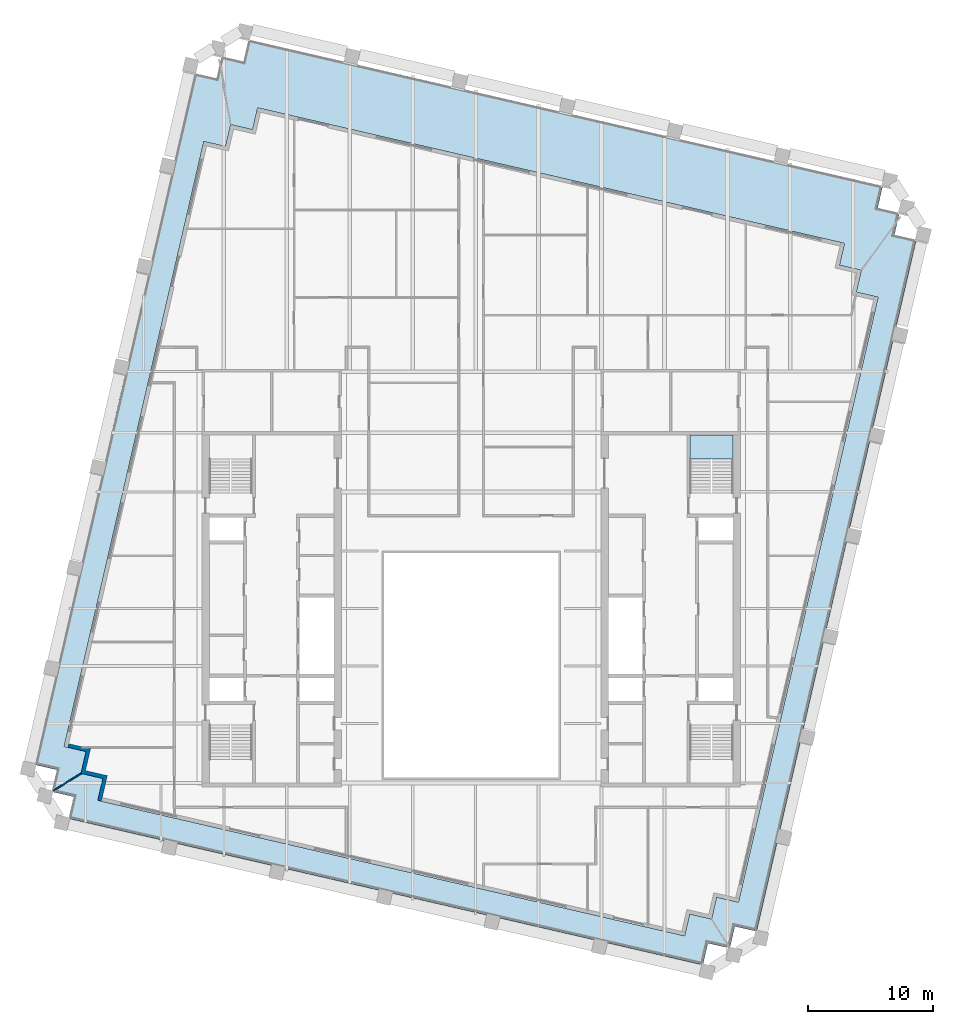
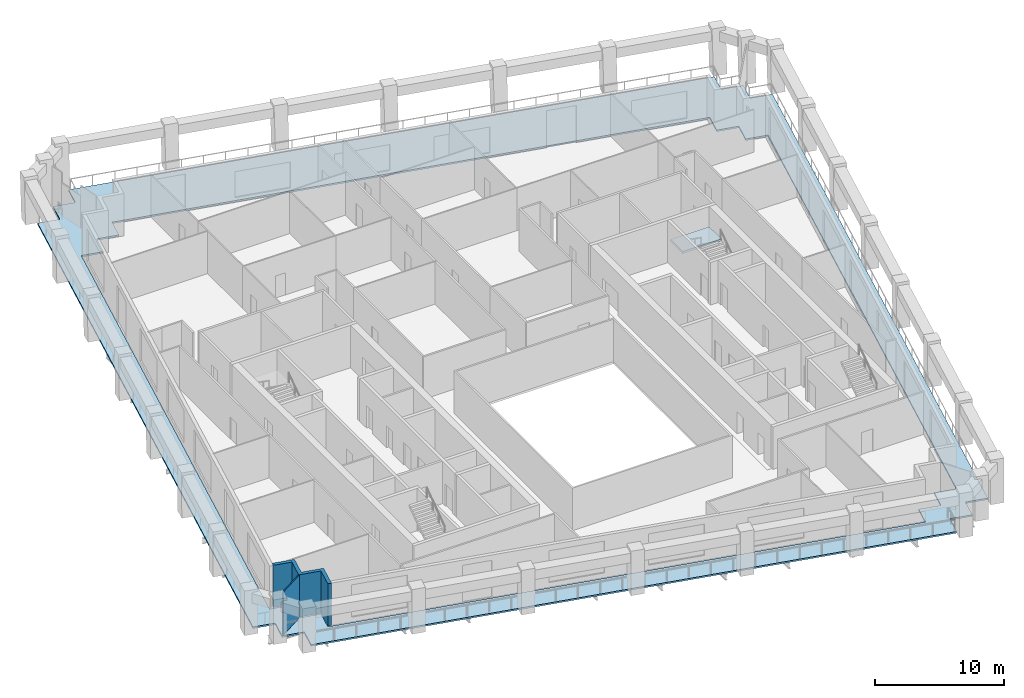
# One storey, part 3 of 10: 2 slabs, 2 walls, 1 element without a shape of its own.
"""IFC4 building model written with IfcOpenShell, lengths in metres."""

from ifc_helpers import new_model, si_unit, direction, frame, frame_2d, origin, place, context, subcontext, project, spatial, polyline, rectangle, outline, extrude, material, layer, layer_set, type_object, element, aggregate, save


model = new_model("IFC4")

# Units and contexts
model_context = context("Model", 3, precision=1e-05, world=origin(), true_north=direction((0.0, 1.0)))
body_context = subcontext(model_context, "Body", "Model", "MODEL_VIEW")
ifc_project = project(units=[si_unit("LENGTHUNIT", "METRE"), si_unit("AREAUNIT", "SQUARE_METRE"), si_unit("VOLUMEUNIT", "CUBIC_METRE"), si_unit("PLANEANGLEUNIT", "RADIAN"), si_unit("MASSUNIT", "GRAM", prefix="KILO")], contexts=[model_context])

# Site, building, storey
site_placement = place(None, origin())
site = spatial("IfcSite", under=ifc_project, at=site_placement, CompositionType="ELEMENT")
building_placement = place(site_placement, origin())
building = spatial("IfcBuilding", under=site, at=building_placement, Name="Ogive Exchange Tower", CompositionType="ELEMENT")
storey_placement = place(building_placement, frame((0.0, 0.0, 272.39990234375)))
storey = spatial("IfcBuildingStorey", under=building, at=storey_placement, Name="L59", CompositionType="ELEMENT", Elevation=272.39990234375)

# Slab
ifc_material_1 = material(Name="Concrete C50/60", Category="concrete")
ifc_layer_1 = layer(ifc_material_1, 0.14990234375)
ifc_layer_set_1 = layer_set([ifc_layer_1], Name="Loggia deck 150")
slab_type_1 = type_object("IfcSlabType", Name="Loggia deck 150", PredefinedType="FLOOR", material=ifc_layer_set_1)
slab_1_placement = place(storey_placement, frame((0.0, 0.0, -0.199951171875)))
element("IfcSlab", 1, at=slab_1_placement, inside=storey, type_object=slab_type_1, Name="Loggia deck", PredefinedType="FLOOR", context=body_context, shape_type="SweptSolid", body=[
    extrude(outline(polyline([(-31.8759765625, -3.54443359375), (-33.6298828125, -3.1396484375), (-33.224853515625, -1.3857421875), (-34.978759765625, -0.980712890625), (-22.1748046875, 54.478515625), (-20.421142578125, 54.07373046875), (-20.01611328125, 55.827392578125), (-18.26220703125, 55.422607421875), (-17.857421875, 57.176513671875), (33.0048828125, 45.43408203125), (32.599853515625, 43.68017578125), (34.353759765625, 43.275390625), (33.94873046875, 41.521484375), (35.70263671875, 41.116455078125), (22.89892578125, -14.343017578125), (21.14501953125, -13.93798828125), (20.739990234375, -15.69189453125), (18.986083984375, -15.286865234375), (18.581298828125, -17.040771484375), (-32.28076171875, -5.29833984375), (-31.8759765625, -3.54443359375)]), holes=[polyline([(17.52490234375, -12.9482421875), (19.27880859375, -13.353271484375), (19.68359375, -11.599365234375), (21.4375, -12.004150390625), (32.64013671875, 36.519287109375), (30.88623046875, 36.92431640625), (31.291015625, 38.67822265625), (29.537109375, 39.0830078125), (29.942138671875, 40.8369140625), (-17.119873046875, 51.7021484375), (-17.52490234375, 49.9482421875), (-19.27880859375, 50.353271484375), (-19.68359375, 48.599365234375), (-21.4375, 49.004150390625), (-32.64013671875, 0.480712890625), (-30.88623046875, 0.07568359375), (-31.291015625, -1.67822265625), (-29.537109375, -2.0830078125), (-29.942138671875, -3.8369140625), (17.119873046875, -14.7021484375), (17.52490234375, -12.9482421875)])]), origin(), (0.0, 0.0, 1.0), 0.150146484375),
])

# Stair, slab
ifc_material_2 = material(Name="Concrete C40/50", Category="concrete")
stair_type = type_object("IfcStairType", Name="Exit stair 1650 wide", PredefinedType="HALF_TURN_STAIR", material=ifc_material_2)
stair_placement = place(storey_placement, origin())
stair = element("IfcStair", 2, at=stair_placement, inside=storey, type_object=stair_type, Name="L59 exit stair ST4", PredefinedType="HALF_TURN_STAIR")
ifc_layer_2 = layer(ifc_material_2, 0.199951171875)
ifc_layer_set_2 = layer_set([ifc_layer_2], Name="Stair landing 200 slab")
slab_type_2 = type_object("IfcSlabType", Name="Stair landing 200 slab", PredefinedType="LANDING", material=ifc_layer_set_2)
slab_2_placement = place(storey_placement, frame((0.0, 0.0, 1.900146484375)))
slab_2 = element("IfcSlab", 3, at=slab_2_placement, type_object=slab_type_2, Name="ST4 landing 1", PredefinedType="LANDING", context=body_context, shape_type="SweptSolid", body=[
    extrude(outline(polyline([(21.0, 23.550048828125), (21.0, 25.449951171875), (17.550048828125, 25.449951171875), (17.550048828125, 23.550048828125), (21.0, 23.550048828125)])), origin(), (0.0, 0.0, 1.0), 0.199951171875),
])
aggregate(stair, [slab_2])

# Walls
ifc_material_3 = material(Name="Precast concrete C40/50", Category="concrete")
ifc_layer_3 = layer(ifc_material_3, 0.300048828125)
ifc_layer_set_3 = layer_set([ifc_layer_3], Name="Limestone-faced wall 300")
wall_type_1 = type_object("IfcWallType", Name="Limestone-faced wall 300", PredefinedType="STANDARD", material=ifc_layer_set_3)
wall_1_placement = place(storey_placement, origin())
element("IfcWall", 4, at=wall_1_placement, inside=storey, type_object=wall_type_1, Name="External corner wall C4", PredefinedType="STANDARD", context=body_context, shape_type="SweptSolid", body=[
    extrude(outline(polyline([(-31.291015625, -1.67822265625), (-30.88623046875, 0.07568359375), (-32.34765625, 0.4130859375), (-32.2802734375, 0.705322265625), (-30.5263671875, 0.300537109375), (-30.931396484375, -1.453369140625), (-29.177490234375, -1.8583984375), (-29.64990234375, -3.904541015625), (-29.942138671875, -3.8369140625), (-29.537109375, -2.0830078125), (-31.291015625, -1.67822265625)])), origin(), (0.0, 0.0, 1.0), 4.0),
])
ifc_material_4 = material(Name="Laminated safety glass in steel frame", Category="steel")
ifc_layer_4 = layer(ifc_material_4, 0.10009765625)
ifc_layer_set_4 = layer_set([ifc_layer_4], Name="Loggia end screen 100")
wall_type_2 = type_object("IfcWallType", Name="Loggia end screen 100", PredefinedType="STANDARD", material=ifc_layer_set_4)
wall_2_placement = place(storey_placement, frame((-31.291015625, -1.67822265625, -0.0498046875), z_axis=(0.0, 0.0, 1.0), x_axis=(-0.84807753525, -0.529872148923, 0.0)))
element("IfcWall", 5, at=wall_2_placement, inside=storey, type_object=wall_type_2, Name="Loggia end screen C4", PredefinedType="STANDARD", context=body_context, shape_type="SweptSolid", body=[
    extrude(rectangle(XDim=2.596435546875, YDim=0.10009765625, at=frame_2d((1.29833984375, 0.0))), origin(), (0.0, 0.0, 1.0), 4.0498046875),
])

save(model, "model.ifc")
